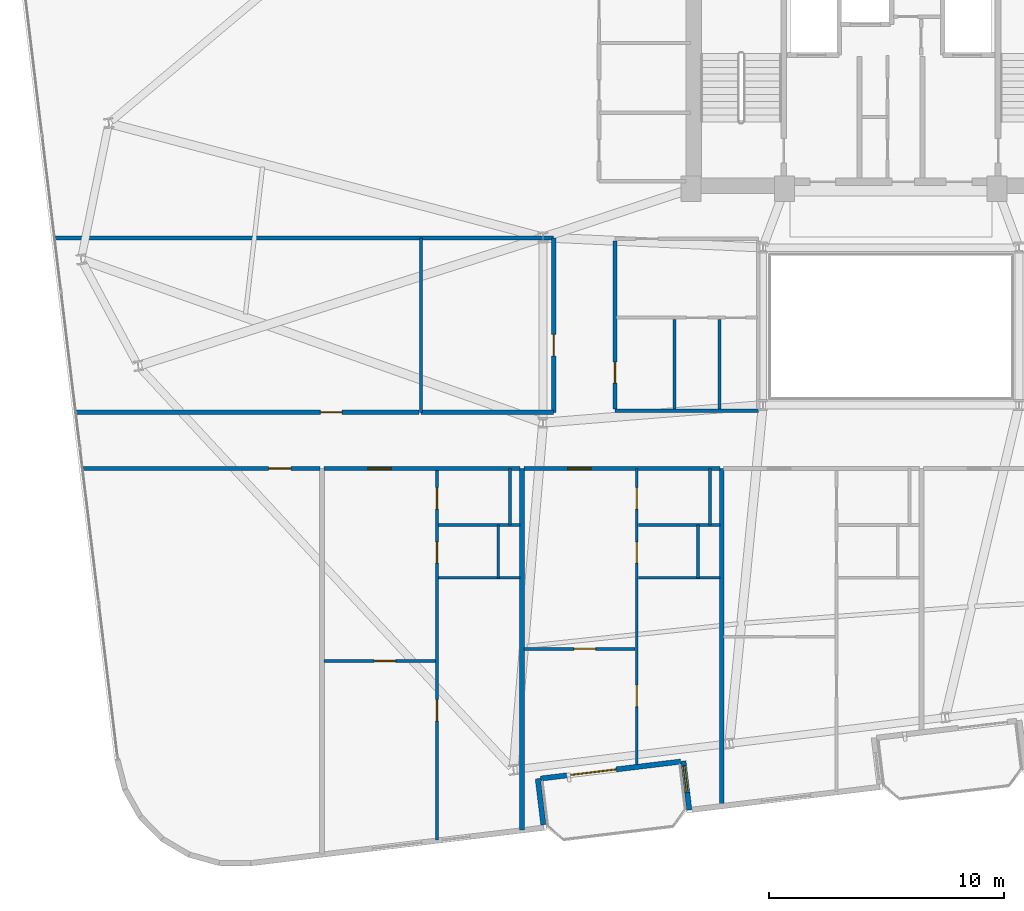
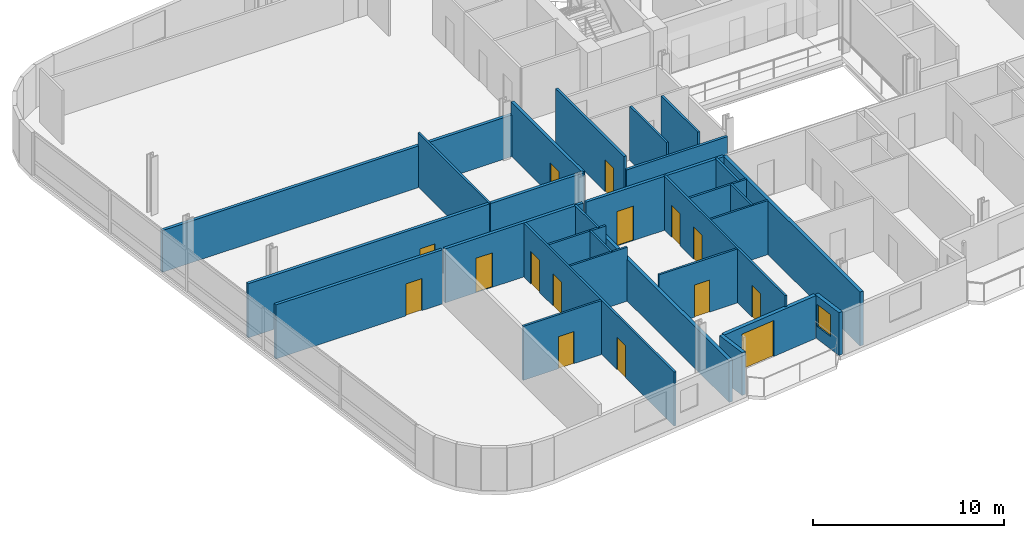
# One storey, part 14 of 23: 29 walls, 15 doors, 1 window, 16 openings.
"""IFC4 building model written with IfcOpenShell, lengths in metres."""

from ifc_helpers import new_model, si_unit, direction, frame, frame_2d, origin, place, context, subcontext, project, spatial, rectangle, extrude, material, layer, layer_set, type_object, element, fill, save


model = new_model("IFC4")

# Units and contexts
model_context = context("Model", 3, precision=1e-05, world=origin(), true_north=direction((0.0, 1.0)))
body_context = subcontext(model_context, "Body", "Model", "MODEL_VIEW")
ifc_project = project(units=[si_unit("LENGTHUNIT", "METRE"), si_unit("AREAUNIT", "SQUARE_METRE"), si_unit("VOLUMEUNIT", "CUBIC_METRE"), si_unit("PLANEANGLEUNIT", "RADIAN"), si_unit("MASSUNIT", "GRAM", prefix="KILO")], contexts=[model_context])

# Site, building, storey
site_placement = place(None, origin())
site = spatial("IfcSite", under=ifc_project, at=site_placement, CompositionType="ELEMENT")
building_placement = place(site_placement, origin())
building = spatial("IfcBuilding", under=site, at=building_placement, Name="Varnelok Gate Tower", CompositionType="ELEMENT")
storey_placement = place(building_placement, frame((0.0, 0.0, 193.10009765625)))
storey = spatial("IfcBuildingStorey", under=building, at=storey_placement, Name="L49", CompositionType="ELEMENT", Elevation=193.10009765625)

# Wall, opening, door
ifc_material_1 = material(Name="Concrete C45/55", Category="concrete")
ifc_layer_1 = layer(ifc_material_1, 0.219970703125)
ifc_layer_set_1 = layer_set([ifc_layer_1], Name="Concrete C45/55")
wall_type_1 = type_object("IfcWallType", Name="EW-BALC-220", PredefinedType="SOLIDWALL", material=ifc_layer_set_1)
wall_1_placement = place(storey_placement, frame((30.25244140625, 4.381103515625, 0.0), z_axis=(0.0, 0.0, 1.0), x_axis=(-0.992735402148, -0.120318000826, 0.0)))
wall_1 = element("IfcWall", 1, at=wall_1_placement, inside=storey, type_object=wall_type_1, Name="L49 South Terrace Envelope Wall 1", PredefinedType="SOLIDWALL", context=body_context, shape_type="SweptSolid", body=[
    extrude(rectangle(XDim=6.000244140625, YDim=0.219970703125, at=frame_2d((3.0, 0.0))), origin(), (0.0, 0.0, 1.0), 2.72998046875),
])
opening_1_placement = place(wall_1_placement, frame((2.756103515625, 0.0, 0.0)))
opening_1 = element("IfcOpeningElement", 2, at=opening_1_placement, cuts=wall_1, Name="Opening BD-2", PredefinedType="OPENING", context=body_context, shape_type="SweptSolid", body=[
    extrude(rectangle(XDim=2.10009765625, YDim=2.300048828125, at=frame_2d((1.050048828125, 1.14990234375))), frame((0.0, 0.119873046875, 0.0), z_axis=(0.0, -1.0, 0.0), x_axis=(1.0, 0.0, 0.0)), (0.0, 0.0, 1.0), 0.239990234375),
])
ifc_material_2 = material(Name="Anodized Aluminum Alloy 6063-T6", Category="aluminium")
door_type_1 = type_object("IfcDoorType", Name="DR-EXT-SLID2100", OperationType="SLIDING_TO_LEFT", PredefinedType="DOOR", material=ifc_material_2)
door_1_placement = place(opening_1_placement, origin())
door_1 = element("IfcDoor", 3, at=door_1_placement, inside=storey, type_object=door_type_1, Name="L49 South Balcony Glazed Door 1", OperationType="SLIDING_TO_LEFT", OverallHeight=2.300048828125, OverallWidth=2.10009765625, PredefinedType="DOOR", context=body_context, shape_type="SweptSolid", body=[
    extrude(rectangle(XDim=2.10009765625, YDim=2.300048828125, at=frame_2d((1.050048828125, 1.14990234375))), frame((0.0, 0.02490234375, 0.0), z_axis=(0.0, -1.0, 0.0), x_axis=(1.0, 0.0, 0.0)), (0.0, 0.0, 1.0), 0.050048828125),
])
fill(opening_1, door_1)

# Wall
wall_2_placement = place(storey_placement, frame((24.413330078125, 1.694091796875, 0.0), z_axis=(0.0, 0.0, 1.0), x_axis=(-0.120290754542, 0.992738703976, 0.0)))
element("IfcWall", 4, at=wall_2_placement, inside=storey, type_object=wall_type_1, Name="L49 Perimeter Facade Closure Wall 8", PredefinedType="SOLIDWALL", context=body_context, shape_type="SweptSolid", body=[
    extrude(rectangle(XDim=1.974853515625, YDim=0.219970703125, at=frame_2d((0.9873046875, 0.0))), origin(), (0.0, 0.0, 1.0), 2.72998046875),
])

# Wall, opening, window
wall_3_placement = place(storey_placement, frame((30.370361328125, 4.405517578125, 0.0), z_axis=(0.0, 0.0, 1.0), x_axis=(0.120327895535, -0.992734202874, 0.0)))
wall_3 = element("IfcWall", 5, at=wall_3_placement, inside=storey, type_object=wall_type_1, Name="L49 Perimeter Facade Closure Wall 9", PredefinedType="SOLIDWALL", context=body_context, shape_type="SweptSolid", body=[
    extrude(rectangle(XDim=2.099853515625, YDim=0.219970703125, at=frame_2d((1.0498046875, 0.0))), origin(), (0.0, 0.0, 1.0), 2.72998046875),
])
opening_2_placement = place(wall_3_placement, frame((0.199951171875, 0.0, 0.800048828125)))
opening_2 = element("IfcOpeningElement", 6, at=opening_2_placement, cuts=wall_3, Name="Opening WN8", PredefinedType="OPENING", context=body_context, shape_type="SweptSolid", body=[
    extrude(rectangle(XDim=1.14990234375, YDim=1.39990234375, at=frame_2d((0.574951171875, 0.699951171875))), frame((0.0, 0.119873046875, 0.0), z_axis=(0.0, -1.0, 0.0), x_axis=(1.0, 0.0, 0.0)), (0.0, 0.0, 1.0), 0.239990234375),
])
ifc_material_3 = material(Name="Low-E Laminated Double Glazing IGU", Category="glass")
window_type = type_object("IfcWindowType", Name="WN-BED-1150", PartitioningType="SINGLE_PANEL", PredefinedType="WINDOW", material=ifc_material_3)
window_placement = place(opening_2_placement, origin())
window = element("IfcWindow", 7, at=window_placement, inside=storey, type_object=window_type, Name="L49 Bedroom Vision Window 32", OverallHeight=1.39990234375, OverallWidth=1.14990234375, PartitioningType="SINGLE_PANEL", PredefinedType="WINDOW", context=body_context, shape_type="SweptSolid", body=[
    extrude(rectangle(XDim=1.14990234375, YDim=1.39990234375, at=frame_2d((0.574951171875, 0.699951171875))), frame((0.0, 0.030029296875, 0.0), z_axis=(0.0, -1.0, 0.0), x_axis=(1.0, 0.0, 0.0)), (0.0, 0.0, 1.0), 0.06005859375),
])
fill(opening_2, window)

# Wall, opening, door
ifc_material_4 = material(Name="Gypsum Plasterboard Acoustic Partition", Category="gypsum")
ifc_layer_2 = layer(ifc_material_4, 0.179931640625)
ifc_layer_set_2 = layer_set([ifc_layer_2], Name="Gypsum Plasterboard Acoustic Partition")
wall_type_2 = type_object("IfcWallType", Name="PW-CORR-180", PredefinedType="PARTITIONING", material=ifc_layer_set_2)
wall_4_placement = place(storey_placement, frame((4.846923828125, 16.85009765625, 0.0), z_axis=(0.0, 0.0, 1.0), x_axis=(1.0, 0.0, 0.0)))
wall_4 = element("IfcWall", 8, at=wall_4_placement, inside=storey, type_object=wall_type_2, Name="Interior Partition", PredefinedType="PARTITIONING", context=body_context, shape_type="SweptSolid", body=[
    extrude(rectangle(XDim=10.072998046875, YDim=0.179931640625, at=frame_2d((5.03662109375, 0.0))), origin(), (0.0, 0.0, 1.0), 3.449951171875),
])
opening_3_placement = place(wall_4_placement, frame((7.8779296875, 0.0, 0.0)))
opening_3 = element("IfcOpeningElement", 9, at=opening_3_placement, cuts=wall_4, Name="Opening D-I2", PredefinedType="OPENING", context=body_context, shape_type="SweptSolid", body=[
    extrude(rectangle(XDim=0.949951171875, YDim=2.050048828125, at=frame_2d((0.47509765625, 1.02490234375))), frame((0.0, 0.099853515625, 0.0), z_axis=(0.0, -1.0, 0.0), x_axis=(1.0, 0.0, 0.0)), (0.0, 0.0, 1.0), 0.199951171875),
])
ifc_material_5 = material(Name="Engineered Hardwood Timber", Category="wood")
door_type_2 = type_object("IfcDoorType", Name="DR-INT-950", OperationType="NOTDEFINED", PredefinedType="DOOR", material=ifc_material_5)
door_2_placement = place(opening_3_placement, origin())
door_2 = element("IfcDoor", 10, at=door_2_placement, inside=storey, type_object=door_type_2, Name="L49 Wellness Spa Lounge Door", OperationType="SINGLE_SWING_LEFT", OverallHeight=2.050048828125, OverallWidth=0.949951171875, PredefinedType="DOOR", context=body_context, shape_type="SweptSolid", body=[
    extrude(rectangle(XDim=0.949951171875, YDim=2.050048828125, at=frame_2d((0.47509765625, 1.02490234375))), frame((0.0, 0.02490234375, 0.0), z_axis=(0.0, -1.0, 0.0), x_axis=(1.0, 0.0, 0.0)), (0.0, 0.0, 1.0), 0.050048828125),
])
fill(opening_3, door_2)

wall_5_placement = place(storey_placement, frame((15.080078125, 16.85009765625, 0.0), z_axis=(0.0, 0.0, 1.0), x_axis=(1.0, 0.0, 0.0)))
wall_5 = element("IfcWall", 11, at=wall_5_placement, inside=storey, type_object=wall_type_2, Name="Interior Partition", PredefinedType="PARTITIONING", context=body_context, shape_type="SweptSolid", body=[
    extrude(rectangle(XDim=8.33984375, YDim=0.179931640625, at=frame_2d((4.169921875, 0.0))), origin(), (0.0, 0.0, 1.0), 3.449951171875),
])
opening_4_placement = place(wall_5_placement, frame((1.86767578125, 0.0, 0.0)))
opening_4 = element("IfcOpeningElement", 12, at=opening_4_placement, cuts=wall_5, Name="Opening D-AP", PredefinedType="OPENING", context=body_context, shape_type="SweptSolid", body=[
    extrude(rectangle(XDim=1.0, YDim=2.199951171875, at=frame_2d((0.5, 1.10009765625))), frame((0.0, 0.099853515625, 0.0), z_axis=(0.0, -1.0, 0.0), x_axis=(1.0, 0.0, 0.0)), (0.0, 0.0, 1.0), 0.199951171875),
])
door_type_3 = type_object("IfcDoorType", Name="DR-APT-1000", OperationType="NOTDEFINED", PredefinedType="DOOR", material=ifc_material_5)
door_3_placement = place(opening_4_placement, origin())
door_3 = element("IfcDoor", 13, at=door_3_placement, inside=storey, type_object=door_type_3, Name="L49 Apartment 2 Entrance Door", OperationType="SINGLE_SWING_LEFT", OverallHeight=2.199951171875, OverallWidth=1.0, PredefinedType="DOOR", context=body_context, shape_type="SweptSolid", body=[
    extrude(rectangle(XDim=1.0, YDim=2.199951171875, at=frame_2d((0.5, 1.10009765625))), frame((0.0, 0.02490234375, 0.0), z_axis=(0.0, -1.0, 0.0), x_axis=(1.0, 0.0, 0.0)), (0.0, 0.0, 1.0), 0.050048828125),
])
fill(opening_4, door_3)

wall_6_placement = place(storey_placement, frame((23.580078125, 16.85009765625, 0.0), z_axis=(0.0, 0.0, 1.0), x_axis=(1.0, 0.0, 0.0)))
wall_6 = element("IfcWall", 14, at=wall_6_placement, inside=storey, type_object=wall_type_2, Name="Interior Partition", PredefinedType="PARTITIONING", context=body_context, shape_type="SweptSolid", body=[
    extrude(rectangle(XDim=8.33984375, YDim=0.179931640625, at=frame_2d((4.169921875, 0.0))), origin(), (0.0, 0.0, 1.0), 3.449951171875),
])
opening_5_placement = place(wall_6_placement, frame((1.86767578125, 0.0, 0.0)))
opening_5 = element("IfcOpeningElement", 15, at=opening_5_placement, cuts=wall_6, Name="Opening D-AP", PredefinedType="OPENING", context=body_context, shape_type="SweptSolid", body=[
    extrude(rectangle(XDim=1.0, YDim=2.199951171875, at=frame_2d((0.5, 1.10009765625))), frame((0.0, 0.099853515625, 0.0), z_axis=(0.0, -1.0, 0.0), x_axis=(1.0, 0.0, 0.0)), (0.0, 0.0, 1.0), 0.199951171875),
])
door_4_placement = place(opening_5_placement, origin())
door_4 = element("IfcDoor", 16, at=door_4_placement, inside=storey, type_object=door_type_3, Name="L49 Apartment 3 Entrance Door", OperationType="SINGLE_SWING_RIGHT", OverallHeight=2.199951171875, OverallWidth=1.0, PredefinedType="DOOR", context=body_context, shape_type="SweptSolid", body=[
    extrude(rectangle(XDim=1.0, YDim=2.199951171875, at=frame_2d((0.5, 1.10009765625))), frame((0.0, 0.02490234375, 0.0), z_axis=(0.0, -1.0, 0.0), x_axis=(1.0, 0.0, 0.0)), (0.0, 0.0, 1.0), 0.050048828125),
])
fill(opening_5, door_4)

wall_7_placement = place(storey_placement, frame((4.55712890625, 19.239990234375, 0.0), z_axis=(0.0, 0.0, 1.0), x_axis=(1.0, 0.0, 0.0)))
wall_7 = element("IfcWall", 17, at=wall_7_placement, inside=storey, type_object=wall_type_2, Name="Interior Partition", PredefinedType="PARTITIONING", context=body_context, shape_type="SweptSolid", body=[
    extrude(rectangle(XDim=14.56298828125, YDim=0.179931640625, at=frame_2d((7.281494140625, 0.0))), origin(), (0.0, 0.0, 1.0), 3.449951171875),
])
opening_6_placement = place(wall_7_placement, frame((10.371826171875, 0.0, 0.0)))
opening_6 = element("IfcOpeningElement", 18, at=opening_6_placement, cuts=wall_7, Name="Opening D-I3", PredefinedType="OPENING", context=body_context, shape_type="SweptSolid", body=[
    extrude(rectangle(XDim=0.919921875, YDim=2.050048828125, at=frame_2d((0.4599609375, 1.02490234375))), frame((0.0, 0.099853515625, 0.0), z_axis=(0.0, -1.0, 0.0), x_axis=(1.0, 0.0, 0.0)), (0.0, 0.0, 1.0), 0.199951171875),
])
door_type_4 = type_object("IfcDoorType", Name="DR-INT-920", OperationType="NOTDEFINED", PredefinedType="DOOR", material=ifc_material_5)
door_5_placement = place(opening_6_placement, origin())
door_5 = element("IfcDoor", 19, at=door_5_placement, inside=storey, type_object=door_type_4, Name="L49 West Treatment Door", OperationType="SINGLE_SWING_RIGHT", OverallHeight=2.050048828125, OverallWidth=0.919921875, PredefinedType="DOOR", context=body_context, shape_type="SweptSolid", body=[
    extrude(rectangle(XDim=0.919921875, YDim=2.050048828125, at=frame_2d((0.4599609375, 1.02490234375))), frame((0.0, 0.02490234375, 0.0), z_axis=(0.0, -1.0, 0.0), x_axis=(1.0, 0.0, 0.0)), (0.0, 0.0, 1.0), 0.050048828125),
])
fill(opening_6, door_5)

wall_8_placement = place(storey_placement, frame((24.85009765625, 19.239990234375, 0.0), z_axis=(0.0, 0.0, 1.0), x_axis=(0.0, 1.0, 0.0)))
wall_8 = element("IfcWall", 20, at=wall_8_placement, inside=storey, type_object=wall_type_2, Name="Interior Partition", PredefinedType="PARTITIONING", context=body_context, shape_type="SweptSolid", body=[
    extrude(rectangle(XDim=7.419921875, YDim=0.179931640625, at=frame_2d((3.7099609375, 0.0))), origin(), (0.0, 0.0, 1.0), 3.449951171875),
])
opening_7_placement = place(wall_8_placement, frame((2.39990234375, 0.0, 0.0)))
opening_7 = element("IfcOpeningElement", 21, at=opening_7_placement, cuts=wall_8, Name="Opening D-I3", PredefinedType="OPENING", context=body_context, shape_type="SweptSolid", body=[
    extrude(rectangle(XDim=0.919921875, YDim=2.050048828125, at=frame_2d((0.4599609375, 1.02490234375))), frame((0.0, 0.099853515625, 0.0), z_axis=(0.0, -1.0, 0.0), x_axis=(1.0, 0.0, 0.0)), (0.0, 0.0, 1.0), 0.199951171875),
])
door_6_placement = place(opening_7_placement, origin())
door_6 = element("IfcDoor", 22, at=door_6_placement, inside=storey, type_object=door_type_4, Name="L49 West Playroom Door", OperationType="SINGLE_SWING_LEFT", OverallHeight=2.050048828125, OverallWidth=0.919921875, PredefinedType="DOOR", context=body_context, shape_type="SweptSolid", body=[
    extrude(rectangle(XDim=0.919921875, YDim=2.050048828125, at=frame_2d((0.4599609375, 1.02490234375))), frame((0.0, 0.02490234375, 0.0), z_axis=(0.0, -1.0, 0.0), x_axis=(1.0, 0.0, 0.0)), (0.0, 0.0, 1.0), 0.050048828125),
])
fill(opening_7, door_6)

# Walls
wall_9_placement = place(storey_placement, frame((19.199951171875, 19.239990234375, 0.0), z_axis=(0.0, 0.0, 1.0), x_axis=(1.0, 0.0, 0.0)))
element("IfcWall", 23, at=wall_9_placement, inside=storey, type_object=wall_type_2, Name="Interior Partition", PredefinedType="PARTITIONING", context=body_context, shape_type="SweptSolid", body=[
    extrude(rectangle(XDim=5.650146484375, YDim=0.179931640625, at=frame_2d((2.8251953125, 0.0))), origin(), (0.0, 0.0, 1.0), 3.449951171875),
])
wall_10_placement = place(storey_placement, frame((3.65771484375, 26.659912109375, 0.0), z_axis=(0.0, 0.0, 1.0), x_axis=(1.0, 0.0, 0.0)))
element("IfcWall", 24, at=wall_10_placement, inside=storey, type_object=wall_type_2, Name="Interior Partition", PredefinedType="PARTITIONING", context=body_context, shape_type="SweptSolid", body=[
    extrude(rectangle(XDim=21.1923828125, YDim=0.179931640625, at=frame_2d((10.59619140625, 0.0))), origin(), (0.0, 0.0, 1.0), 2.661865234375),
])
ifc_layer_3 = layer(ifc_material_4, 0.114990234375)
ifc_layer_set_3 = layer_set([ifc_layer_3], Name="Gypsum Plasterboard Acoustic Partition")
wall_type_3 = type_object("IfcWallType", Name="PW-ENS-125", PredefinedType="PARTITIONING", material=ifc_layer_set_3)
wall_11_placement = place(storey_placement, frame((19.955078125, 12.199951171875, 0.0), z_axis=(0.0, 0.0, 1.0), x_axis=(1.0, 0.0, 0.0)))
element("IfcWall", 25, at=wall_11_placement, inside=storey, type_object=wall_type_3, Name="Interior Partition", PredefinedType="PARTITIONING", context=body_context, shape_type="SweptSolid", body=[
    extrude(rectangle(XDim=3.46484375, YDim=0.114990234375, at=frame_2d((1.732421875, 0.0))), origin(), (0.0, 0.0, 1.0), 3.449951171875),
])
wall_12_placement = place(storey_placement, frame((22.4951171875, 12.199951171875, 0.0), z_axis=(0.0, 0.0, 1.0), x_axis=(0.0, 1.0, 0.0)))
element("IfcWall", 26, at=wall_12_placement, inside=storey, type_object=wall_type_3, Name="Interior Partition", PredefinedType="PARTITIONING", context=body_context, shape_type="SweptSolid", body=[
    extrude(rectangle(XDim=2.239990234375, YDim=0.114990234375, at=frame_2d((1.1201171875, 0.0))), origin(), (0.0, 0.0, 1.0), 3.449951171875),
])
wall_13_placement = place(storey_placement, frame((28.455078125, 12.199951171875, 0.0), z_axis=(0.0, 0.0, 1.0), x_axis=(1.0, 0.0, 0.0)))
element("IfcWall", 27, at=wall_13_placement, inside=storey, type_object=wall_type_3, Name="Interior Partition", PredefinedType="PARTITIONING", context=body_context, shape_type="SweptSolid", body=[
    extrude(rectangle(XDim=3.46484375, YDim=0.114990234375, at=frame_2d((1.732421875, 0.0))), origin(), (0.0, 0.0, 1.0), 3.449951171875),
])
wall_14_placement = place(storey_placement, frame((30.9951171875, 12.199951171875, 0.0), z_axis=(0.0, 0.0, 1.0), x_axis=(0.0, 1.0, 0.0)))
element("IfcWall", 28, at=wall_14_placement, inside=storey, type_object=wall_type_3, Name="Interior Partition", PredefinedType="PARTITIONING", context=body_context, shape_type="SweptSolid", body=[
    extrude(rectangle(XDim=2.239990234375, YDim=0.114990234375, at=frame_2d((1.1201171875, 0.0))), origin(), (0.0, 0.0, 1.0), 3.449951171875),
])

# Wall, opening, door
ifc_layer_4 = layer(ifc_material_4, 0.125)
ifc_layer_set_4 = layer_set([ifc_layer_4], Name="Gypsum Plasterboard Acoustic Partition")
wall_type_4 = type_object("IfcWallType", Name="PW-PART-125", PredefinedType="PARTITIONING", material=ifc_layer_set_4)
wall_15_placement = place(storey_placement, frame((15.080078125, 8.663330078125, 0.0), z_axis=(0.0, 0.0, 1.0), x_axis=(1.0, 0.0, 0.0)))
wall_15 = element("IfcWall", 29, at=wall_15_placement, inside=storey, type_object=wall_type_4, Name="Interior Partition", PredefinedType="PARTITIONING", context=body_context, shape_type="SweptSolid", body=[
    extrude(rectangle(XDim=4.735107421875, YDim=0.125, at=frame_2d((2.36767578125, 0.0))), origin(), (0.0, 0.0, 1.0), 3.449951171875),
])
opening_8_placement = place(wall_15_placement, frame((2.130859375, 0.0, 0.0)))
opening_8 = element("IfcOpeningElement", 30, at=opening_8_placement, cuts=wall_15, Name="Opening D-I3", PredefinedType="OPENING", context=body_context, shape_type="SweptSolid", body=[
    extrude(rectangle(XDim=0.919921875, YDim=2.050048828125, at=frame_2d((0.4599609375, 1.02490234375))), frame((0.0, 0.072509765625, 0.0), z_axis=(0.0, -1.0, 0.0), x_axis=(1.0, 0.0, 0.0)), (0.0, 0.0, 1.0), 0.14501953125),
])
door_7_placement = place(opening_8_placement, origin())
door_7 = element("IfcDoor", 31, at=door_7_placement, inside=storey, type_object=door_type_4, Name="L49 Apartment 2 Study Door", OperationType="SINGLE_SWING_LEFT", OverallHeight=2.050048828125, OverallWidth=0.919921875, PredefinedType="DOOR", context=body_context, shape_type="SweptSolid", body=[
    extrude(rectangle(XDim=0.919921875, YDim=2.050048828125, at=frame_2d((0.4599609375, 1.02490234375))), frame((0.0, 0.02490234375, 0.0), z_axis=(0.0, -1.0, 0.0), x_axis=(1.0, 0.0, 0.0)), (0.0, 0.0, 1.0), 0.050048828125),
])
fill(opening_8, door_7)

# Wall, openings, doors
wall_16_placement = place(storey_placement, frame((19.88525390625, 1.039306640625, 0.0), z_axis=(0.0, 0.0, 1.0), x_axis=(0.0, 1.0, 0.0)))
wall_16 = element("IfcWall", 32, at=wall_16_placement, inside=storey, type_object=wall_type_4, Name="Interior Partition", PredefinedType="PARTITIONING", context=body_context, shape_type="SweptSolid", body=[
    extrude(rectangle(XDim=15.810791015625, YDim=0.125, at=frame_2d((7.9052734375, 0.0))), origin(), (0.0, 0.0, 1.0), 3.449951171875),
])
opening_9_placement = place(wall_16_placement, frame((5.060302734375, 0.0, 0.0)))
opening_9 = element("IfcOpeningElement", 33, at=opening_9_placement, cuts=wall_16, Name="Opening D-I3", PredefinedType="OPENING", context=body_context, shape_type="SweptSolid", body=[
    extrude(rectangle(XDim=0.919921875, YDim=2.050048828125, at=frame_2d((0.4599609375, 1.02490234375))), frame((0.0, 0.072509765625, 0.0), z_axis=(0.0, -1.0, 0.0), x_axis=(1.0, 0.0, 0.0)), (0.0, 0.0, 1.0), 0.14501953125),
])
opening_10_placement = place(wall_16_placement, frame((11.7880859375, 0.0, 0.0)))
opening_10 = element("IfcOpeningElement", 34, at=opening_10_placement, cuts=wall_16, Name="Opening D-WC", PredefinedType="OPENING", context=body_context, shape_type="SweptSolid", body=[
    extrude(rectangle(XDim=0.89990234375, YDim=2.050048828125, at=frame_2d((0.449951171875, 1.02490234375))), frame((0.0, 0.072509765625, 0.0), z_axis=(0.0, -1.0, 0.0), x_axis=(1.0, 0.0, 0.0)), (0.0, 0.0, 1.0), 0.14501953125),
])
opening_11_placement = place(wall_16_placement, frame((14.080810546875, 0.0, 0.0)))
opening_11 = element("IfcOpeningElement", 35, at=opening_11_placement, cuts=wall_16, Name="Opening D-I3", PredefinedType="OPENING", context=body_context, shape_type="SweptSolid", body=[
    extrude(rectangle(XDim=0.919921875, YDim=2.050048828125, at=frame_2d((0.4599609375, 1.02490234375))), frame((0.0, 0.072509765625, 0.0), z_axis=(0.0, -1.0, 0.0), x_axis=(1.0, 0.0, 0.0)), (0.0, 0.0, 1.0), 0.14501953125),
])
door_type_5 = type_object("IfcDoorType", Name="DR-BATH-900", OperationType="NOTDEFINED", PredefinedType="DOOR", material=ifc_material_5)
door_8_placement = place(opening_10_placement, origin())
door_8 = element("IfcDoor", 36, at=door_8_placement, inside=storey, type_object=door_type_5, Name="L49 Apartment 2 Bathroom Door", OperationType="SINGLE_SWING_LEFT", OverallHeight=2.050048828125, OverallWidth=0.89990234375, PredefinedType="DOOR", context=body_context, shape_type="SweptSolid", body=[
    extrude(rectangle(XDim=0.89990234375, YDim=2.050048828125, at=frame_2d((0.449951171875, 1.02490234375))), frame((0.0, 0.02490234375, 0.0), z_axis=(0.0, -1.0, 0.0), x_axis=(1.0, 0.0, 0.0)), (0.0, 0.0, 1.0), 0.050048828125),
])
fill(opening_10, door_8)
door_9_placement = place(opening_9_placement, origin())
door_9 = element("IfcDoor", 37, at=door_9_placement, inside=storey, type_object=door_type_4, Name="L49 Apartment 2 Bedroom Door", OperationType="SINGLE_SWING_RIGHT", OverallHeight=2.050048828125, OverallWidth=0.919921875, PredefinedType="DOOR", context=body_context, shape_type="SweptSolid", body=[
    extrude(rectangle(XDim=0.919921875, YDim=2.050048828125, at=frame_2d((0.4599609375, 1.02490234375))), frame((0.0, 0.02490234375, 0.0), z_axis=(0.0, -1.0, 0.0), x_axis=(1.0, 0.0, 0.0)), (0.0, 0.0, 1.0), 0.050048828125),
])
fill(opening_9, door_9)
door_10_placement = place(opening_11_placement, origin())
door_10 = element("IfcDoor", 38, at=door_10_placement, inside=storey, type_object=door_type_4, Name="L49 Apartment 2 Kitchen Door", OperationType="SINGLE_SWING_RIGHT", OverallHeight=2.050048828125, OverallWidth=0.919921875, PredefinedType="DOOR", context=body_context, shape_type="SweptSolid", body=[
    extrude(rectangle(XDim=0.919921875, YDim=2.050048828125, at=frame_2d((0.4599609375, 1.02490234375))), frame((0.0, 0.02490234375, 0.0), z_axis=(0.0, -1.0, 0.0), x_axis=(1.0, 0.0, 0.0)), (0.0, 0.0, 1.0), 0.050048828125),
])
fill(opening_11, door_10)

# Walls
wall_17_placement = place(storey_placement, frame((19.955078125, 14.43994140625, 0.0), z_axis=(0.0, 0.0, 1.0), x_axis=(1.0, 0.0, 0.0)))
element("IfcWall", 39, at=wall_17_placement, inside=storey, type_object=wall_type_4, Name="Interior Partition", PredefinedType="PARTITIONING", context=body_context, shape_type="SweptSolid", body=[
    extrude(rectangle(XDim=3.46484375, YDim=0.125, at=frame_2d((1.732421875, 0.0))), origin(), (0.0, 0.0, 1.0), 3.449951171875),
])
wall_18_placement = place(storey_placement, frame((22.9951171875, 14.43994140625, 0.0), z_axis=(0.0, 0.0, 1.0), x_axis=(0.0, 1.0, 0.0)))
element("IfcWall", 40, at=wall_18_placement, inside=storey, type_object=wall_type_4, Name="Interior Partition", PredefinedType="PARTITIONING", context=body_context, shape_type="SweptSolid", body=[
    extrude(rectangle(XDim=2.41015625, YDim=0.125, at=frame_2d((1.205078125, 0.0))), origin(), (0.0, 0.0, 1.0), 3.449951171875),
])

# Wall, opening, door
wall_19_placement = place(storey_placement, frame((23.580078125, 9.1787109375, 0.0), z_axis=(0.0, 0.0, 1.0), x_axis=(1.0, 0.0, 0.0)))
wall_19 = element("IfcWall", 41, at=wall_19_placement, inside=storey, type_object=wall_type_4, Name="Interior Partition", PredefinedType="PARTITIONING", context=body_context, shape_type="SweptSolid", body=[
    extrude(rectangle(XDim=4.735107421875, YDim=0.125, at=frame_2d((2.36767578125, 0.0))), origin(), (0.0, 0.0, 1.0), 3.449951171875),
])
opening_12_placement = place(wall_19_placement, frame((2.130859375, 0.0, 0.0)))
opening_12 = element("IfcOpeningElement", 42, at=opening_12_placement, cuts=wall_19, Name="Opening D-I3", PredefinedType="OPENING", context=body_context, shape_type="SweptSolid", body=[
    extrude(rectangle(XDim=0.919921875, YDim=2.050048828125, at=frame_2d((0.4599609375, 1.02490234375))), frame((0.0, 0.072509765625, 0.0), z_axis=(0.0, -1.0, 0.0), x_axis=(1.0, 0.0, 0.0)), (0.0, 0.0, 1.0), 0.14501953125),
])
door_11_placement = place(opening_12_placement, origin())
door_11 = element("IfcDoor", 43, at=door_11_placement, inside=storey, type_object=door_type_4, Name="L49 Apartment 3 Study Door", OperationType="SINGLE_SWING_LEFT", OverallHeight=2.050048828125, OverallWidth=0.919921875, PredefinedType="DOOR", context=body_context, shape_type="SweptSolid", body=[
    extrude(rectangle(XDim=0.919921875, YDim=2.050048828125, at=frame_2d((0.4599609375, 1.02490234375))), frame((0.0, 0.02490234375, 0.0), z_axis=(0.0, -1.0, 0.0), x_axis=(1.0, 0.0, 0.0)), (0.0, 0.0, 1.0), 0.050048828125),
])
fill(opening_12, door_11)

# Wall, openings, doors
wall_20_placement = place(storey_placement, frame((28.38525390625, 4.18505859375, 0.0), z_axis=(0.0, 0.0, 1.0), x_axis=(0.0, 1.0, 0.0)))
wall_20 = element("IfcWall", 44, at=wall_20_placement, inside=storey, type_object=wall_type_4, Name="Interior Partition", PredefinedType="PARTITIONING", context=body_context, shape_type="SweptSolid", body=[
    extrude(rectangle(XDim=12.6650390625, YDim=0.125, at=frame_2d((6.33251953125, 0.0))), origin(), (0.0, 0.0, 1.0), 3.449951171875),
])
opening_13_placement = place(wall_20_placement, frame((2.531494140625, 0.0, 0.0)))
opening_13 = element("IfcOpeningElement", 45, at=opening_13_placement, cuts=wall_20, Name="Opening D-I3", PredefinedType="OPENING", context=body_context, shape_type="SweptSolid", body=[
    extrude(rectangle(XDim=0.919921875, YDim=2.050048828125, at=frame_2d((0.4599609375, 1.02490234375))), frame((0.0, 0.072509765625, 0.0), z_axis=(0.0, -1.0, 0.0), x_axis=(1.0, 0.0, 0.0)), (0.0, 0.0, 1.0), 0.14501953125),
])
opening_14_placement = place(wall_20_placement, frame((8.64208984375, 0.0, 0.0)))
opening_14 = element("IfcOpeningElement", 46, at=opening_14_placement, cuts=wall_20, Name="Opening D-WC", PredefinedType="OPENING", context=body_context, shape_type="SweptSolid", body=[
    extrude(rectangle(XDim=0.89990234375, YDim=2.050048828125, at=frame_2d((0.449951171875, 1.02490234375))), frame((0.0, 0.072509765625, 0.0), z_axis=(0.0, -1.0, 0.0), x_axis=(1.0, 0.0, 0.0)), (0.0, 0.0, 1.0), 0.14501953125),
])
opening_15_placement = place(wall_20_placement, frame((10.934814453125, 0.0, 0.0)))
opening_15 = element("IfcOpeningElement", 47, at=opening_15_placement, cuts=wall_20, Name="Opening D-I3", PredefinedType="OPENING", context=body_context, shape_type="SweptSolid", body=[
    extrude(rectangle(XDim=0.919921875, YDim=2.050048828125, at=frame_2d((0.4599609375, 1.02490234375))), frame((0.0, 0.072509765625, 0.0), z_axis=(0.0, -1.0, 0.0), x_axis=(1.0, 0.0, 0.0)), (0.0, 0.0, 1.0), 0.14501953125),
])
door_12_placement = place(opening_14_placement, origin())
door_12 = element("IfcDoor", 48, at=door_12_placement, inside=storey, type_object=door_type_5, Name="L49 Apartment 3 Bathroom Door", OperationType="SINGLE_SWING_LEFT", OverallHeight=2.050048828125, OverallWidth=0.89990234375, PredefinedType="DOOR", context=body_context, shape_type="SweptSolid", body=[
    extrude(rectangle(XDim=0.89990234375, YDim=2.050048828125, at=frame_2d((0.449951171875, 1.02490234375))), frame((0.0, 0.02490234375, 0.0), z_axis=(0.0, -1.0, 0.0), x_axis=(1.0, 0.0, 0.0)), (0.0, 0.0, 1.0), 0.050048828125),
])
fill(opening_14, door_12)
door_13_placement = place(opening_13_placement, origin())
door_13 = element("IfcDoor", 49, at=door_13_placement, inside=storey, type_object=door_type_4, Name="L49 Apartment 3 Bedroom Door", OperationType="SINGLE_SWING_RIGHT", OverallHeight=2.050048828125, OverallWidth=0.919921875, PredefinedType="DOOR", context=body_context, shape_type="SweptSolid", body=[
    extrude(rectangle(XDim=0.919921875, YDim=2.050048828125, at=frame_2d((0.4599609375, 1.02490234375))), frame((0.0, 0.02490234375, 0.0), z_axis=(0.0, -1.0, 0.0), x_axis=(1.0, 0.0, 0.0)), (0.0, 0.0, 1.0), 0.050048828125),
])
fill(opening_13, door_13)
door_14_placement = place(opening_15_placement, origin())
door_14 = element("IfcDoor", 50, at=door_14_placement, inside=storey, type_object=door_type_4, Name="L49 Apartment 3 Kitchen Door", OperationType="SINGLE_SWING_RIGHT", OverallHeight=2.050048828125, OverallWidth=0.919921875, PredefinedType="DOOR", context=body_context, shape_type="SweptSolid", body=[
    extrude(rectangle(XDim=0.919921875, YDim=2.050048828125, at=frame_2d((0.4599609375, 1.02490234375))), frame((0.0, 0.02490234375, 0.0), z_axis=(0.0, -1.0, 0.0), x_axis=(1.0, 0.0, 0.0)), (0.0, 0.0, 1.0), 0.050048828125),
])
fill(opening_15, door_14)

# Walls
wall_21_placement = place(storey_placement, frame((28.455078125, 14.43994140625, 0.0), z_axis=(0.0, 0.0, 1.0), x_axis=(1.0, 0.0, 0.0)))
element("IfcWall", 51, at=wall_21_placement, inside=storey, type_object=wall_type_4, Name="Interior Partition", PredefinedType="PARTITIONING", context=body_context, shape_type="SweptSolid", body=[
    extrude(rectangle(XDim=3.46484375, YDim=0.125, at=frame_2d((1.732421875, 0.0))), origin(), (0.0, 0.0, 1.0), 3.449951171875),
])
wall_22_placement = place(storey_placement, frame((31.4951171875, 14.43994140625, 0.0), z_axis=(0.0, 0.0, 1.0), x_axis=(0.0, 1.0, 0.0)))
element("IfcWall", 52, at=wall_22_placement, inside=storey, type_object=wall_type_4, Name="Interior Partition", PredefinedType="PARTITIONING", context=body_context, shape_type="SweptSolid", body=[
    extrude(rectangle(XDim=2.41015625, YDim=0.125, at=frame_2d((1.205078125, 0.0))), origin(), (0.0, 0.0, 1.0), 3.449951171875),
])
wall_23_placement = place(storey_placement, frame((19.199951171875, 19.239990234375, 0.0), z_axis=(0.0, 0.0, 1.0), x_axis=(0.0, 1.0, 0.0)))
element("IfcWall", 53, at=wall_23_placement, inside=storey, type_object=wall_type_4, Name="Interior Partition", PredefinedType="PARTITIONING", context=body_context, shape_type="SweptSolid", body=[
    extrude(rectangle(XDim=7.419921875, YDim=0.125, at=frame_2d((3.7099609375, 0.0))), origin(), (0.0, 0.0, 1.0), 3.449951171875),
])
for number, where, z_axis, x_axis, name in (
    (54, (30.0, 19.3798828125, 0.0), (0.0, 0.0, 1.0), (0.0, 1.0, 0.0), "Interior Partition"),
    (55, (31.89990234375, 19.3798828125, 0.0), (0.0, 0.0, 1.0), (0.0, 1.0, 0.0), "Interior Partition"),
):
    element("IfcWall", number, at=place(storey_placement, frame(where, z_axis=z_axis, x_axis=x_axis)), inside=storey, type_object=wall_type_4, Name=name, PredefinedType="PARTITIONING", context=body_context, shape_type="SweptSolid", body=[
        extrude(rectangle(XDim=3.820068359375, YDim=0.125, at=frame_2d((1.91015625, 0.0))), origin(), (0.0, 0.0, 1.0), 3.449951171875),
    ])
ifc_layer_5 = layer(ifc_material_4, 0.14990234375)
ifc_layer_set_5 = layer_set([ifc_layer_5], Name="Gypsum Plasterboard Acoustic Partition")
wall_type_5 = type_object("IfcWallType", Name="PW-PART-150", PredefinedType="PARTITIONING", material=ifc_layer_set_5)
wall_24_placement = place(storey_placement, frame((27.4599609375, 19.300048828125, 0.0), z_axis=(0.0, 0.0, 1.0), x_axis=(1.0, 0.0, 0.0)))
element("IfcWall", 56, at=wall_24_placement, inside=storey, type_object=wall_type_5, Name="Interior Partition", PredefinedType="PARTITIONING", context=body_context, shape_type="SweptSolid", body=[
    extrude(rectangle(XDim=6.10009765625, YDim=0.14990234375, at=frame_2d((3.050048828125, 0.0))), origin(), (0.0, 0.0, 1.0), 2.661865234375),
])

# Wall, opening, door
wall_25_placement = place(storey_placement, frame((27.4599609375, 19.3798828125, 0.0), z_axis=(0.0, 0.0, 1.0), x_axis=(0.0, 1.0, 0.0)))
wall_25 = element("IfcWall", 57, at=wall_25_placement, inside=storey, type_object=wall_type_5, Name="Interior Partition", PredefinedType="PARTITIONING", context=body_context, shape_type="SweptSolid", body=[
    extrude(rectangle(XDim=7.16015625, YDim=0.14990234375, at=frame_2d((3.580078125, 0.0))), origin(), (0.0, 0.0, 1.0), 3.449951171875),
])
opening_16_placement = place(wall_25_placement, frame((1.10009765625, 0.0, 0.0)))
opening_16 = element("IfcOpeningElement", 58, at=opening_16_placement, cuts=wall_25, Name="Opening D-WC", PredefinedType="OPENING", context=body_context, shape_type="SweptSolid", body=[
    extrude(rectangle(XDim=0.89990234375, YDim=2.050048828125, at=frame_2d((0.449951171875, 1.02490234375))), frame((0.0, 0.0849609375, 0.0), z_axis=(0.0, -1.0, 0.0), x_axis=(1.0, 0.0, 0.0)), (0.0, 0.0, 1.0), 0.169921875),
])
door_15_placement = place(opening_16_placement, origin())
door_15 = element("IfcDoor", 59, at=door_15_placement, inside=storey, type_object=door_type_5, Name="L49 Accessible Floor WC Door", OperationType="SINGLE_SWING_RIGHT", OverallHeight=2.050048828125, OverallWidth=0.89990234375, PredefinedType="DOOR", context=body_context, shape_type="SweptSolid", body=[
    extrude(rectangle(XDim=0.89990234375, YDim=2.050048828125, at=frame_2d((0.449951171875, 1.02490234375))), frame((0.0, 0.02490234375, 0.0), z_axis=(0.0, -1.0, 0.0), x_axis=(1.0, 0.0, 0.0)), (0.0, 0.0, 1.0), 0.050048828125),
])
fill(opening_16, door_15)

# Walls
ifc_layer_6 = layer(ifc_material_4, 0.205078125)
ifc_layer_set_6 = layer_set([ifc_layer_6], Name="Gypsum Plasterboard Acoustic Partition")
wall_type_6 = type_object("IfcWallType", Name="PW-PARTY-200", PredefinedType="PARTITIONING", material=ifc_layer_set_6)
wall_26_placement = place(storey_placement, frame((23.5, 1.4775390625, 0.0), z_axis=(0.0, 0.0, 1.0), x_axis=(0.0, 1.0, 0.0)))
element("IfcWall", 60, at=wall_26_placement, inside=storey, type_object=wall_type_6, Name="L49 South Party Wall 2", PredefinedType="PARTITIONING", context=body_context, shape_type="SweptSolid", body=[
    extrude(rectangle(XDim=15.37255859375, YDim=0.205078125, at=frame_2d((7.686279296875, 0.0))), origin(), (0.0, 0.0, 1.0), 2.661865234375),
])
wall_27_placement = place(storey_placement, frame((32.0, 2.5078125, 0.0), z_axis=(0.0, 0.0, 1.0), x_axis=(0.0, 1.0, 0.0)))
element("IfcWall", 61, at=wall_27_placement, inside=storey, type_object=wall_type_6, Name="L49 South Party Wall 3", PredefinedType="PARTITIONING", context=body_context, shape_type="SweptSolid", body=[
    extrude(rectangle(XDim=14.34228515625, YDim=0.205078125, at=frame_2d((7.171142578125, 0.0))), origin(), (0.0, 0.0, 1.0), 3.449951171875),
])

save(model, "model.ifc")
